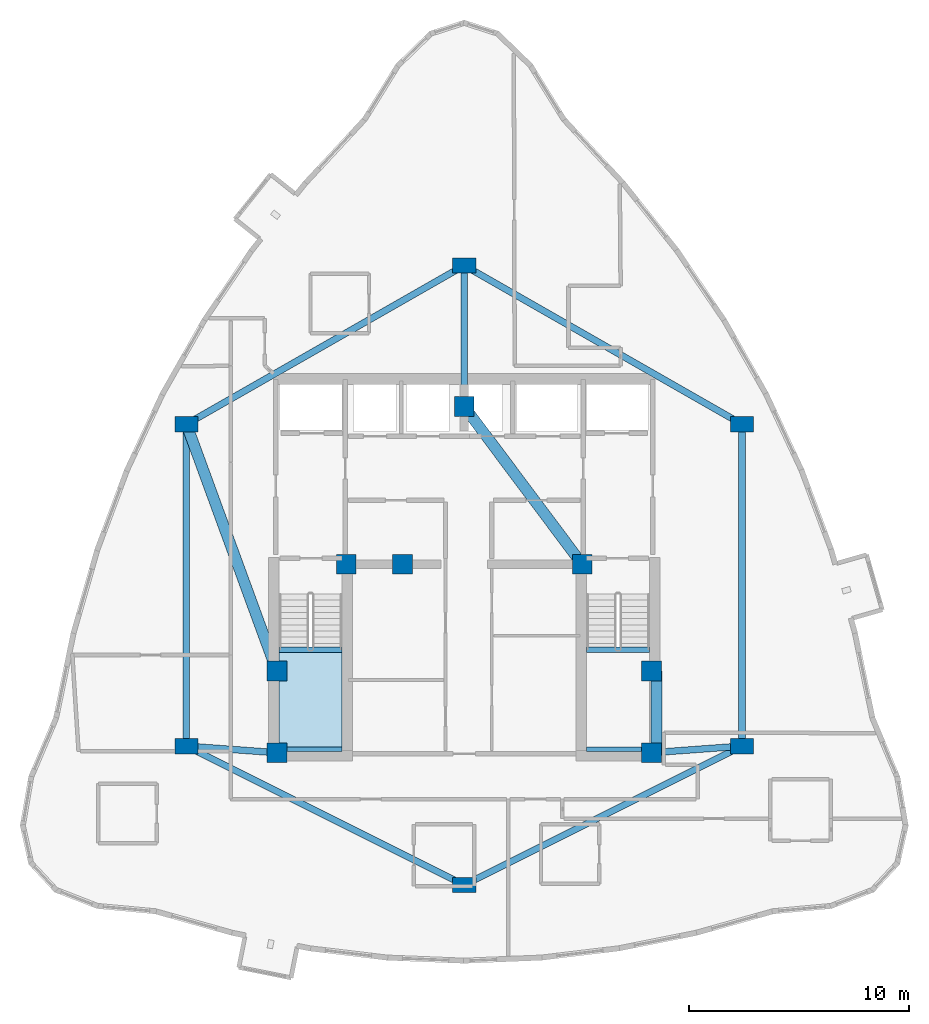
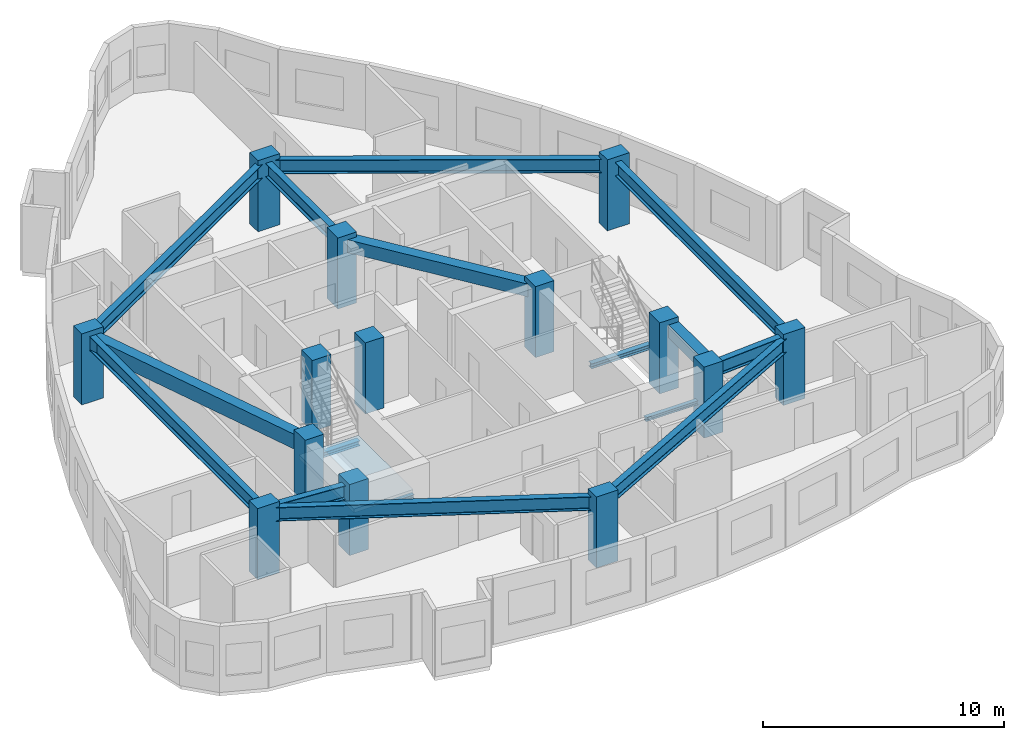
# One storey, part 1 of 12: 16 beams, 14 columns, 1 slab, 1 element without a shape of its own.
"""IFC4 building model written with IfcOpenShell, lengths in metres."""

import ifcopenshell
import ifcopenshell.guid

model = None  # the IFC model being written
_history = None  # IfcOwnerHistory: only IFC2X3 demands one
_inside = {}  # id of a spatial element -> (the spatial element, [elements in it])
_under = {}  # id of a project, library or spatial element -> (it, [spatial elements below it])
_declared = {}  # id of a project -> (the project, [libraries it declares])
_typed = {}  # id of a type object -> (the type object, [elements of that type])
_made_of = {}  # id of a material, layer set ... -> (it, [elements and type objects made of it])


def new_model(schema):
    """Start an empty IFC model of exactly this schema.

    Asked for "IFC4X3", IfcOpenShell would pick the latest addendum, in which some entities
    have other attributes; the version numbers below select the first issue.
    IFC2X3 requires an IfcOwnerHistory on every rooted entity: one is made here for all.
    """
    global model, _history
    if schema == "IFC4X3":
        model = ifcopenshell.file(schema_version=(4, 3, 0, 0))
    else:
        model = ifcopenshell.file(schema=schema)
    _inside.clear()
    _under.clear()
    _declared.clear()
    _typed.clear()
    _made_of.clear()
    _history = None
    if model.schema == "IFC2X3":
        org = make("IfcOrganization", Name="unknown")
        user = make(
            "IfcPersonAndOrganization",
            ThePerson=make("IfcPerson", FamilyName="unknown"),
            TheOrganization=org,
        )
        app = make(
            "IfcApplication",
            ApplicationDeveloper=org,
            Version="unknown",
            ApplicationFullName="unknown",
            ApplicationIdentifier="unknown",
        )
        _history = make(
            "IfcOwnerHistory",
            OwningUser=user,
            OwningApplication=app,
            ChangeAction="ADDED",
            CreationDate=0,
        )
    return model


def make(cls, **values):
    """One entity of the class cls with the attributes given. An attribute that is None is left unset."""
    return model.create_entity(
        cls, **{name: value for name, value in values.items() if value is not None}
    )


def rooted(cls, **values):
    """An entity with a GlobalId (a new one), such as an element, a storey or a relation."""
    return make(cls, GlobalId=ifcopenshell.guid.new(), OwnerHistory=_history, **values)


def si_unit(unit_type, name, prefix=None):
    """IfcSIUnit, for example si_unit("LENGTHUNIT", "METRE", prefix="MILLI")."""
    return make("IfcSIUnit", UnitType=unit_type, Prefix=prefix, Name=name)


def assignment(units):
    """IfcUnitAssignment: the units of a project."""
    return None if units is None else make("IfcUnitAssignment", Units=units)


def point(xyz):
    """IfcCartesianPoint."""
    return None if xyz is None else make("IfcCartesianPoint", Coordinates=xyz)


def direction(xyz):
    """IfcDirection."""
    return None if xyz is None else make("IfcDirection", DirectionRatios=xyz)


def frame(location, z_axis=None, x_axis=None):
    """IfcAxis2Placement3D, a coordinate frame: its origin and axes. An axis left out is left unset."""
    return make(
        "IfcAxis2Placement3D",
        Location=point(location),
        Axis=direction(z_axis),
        RefDirection=direction(x_axis),
    )


def frame_2d(location, x_axis=None):
    """IfcAxis2Placement2D, a coordinate frame in the plane: its origin and x axis."""
    return make(
        "IfcAxis2Placement2D", Location=point(location), RefDirection=direction(x_axis)
    )


def origin():
    """The frame at (0, 0, 0) with its axes left unset."""
    return frame((0.0, 0.0, 0.0))


def origin_2d():
    """The frame at (0, 0) in the plane with its x axis left unset."""
    return frame_2d((0.0, 0.0))


def place(relative_to, where):
    """IfcLocalPlacement: puts the frame where relative to a parent placement (None: the world)."""
    return make(
        "IfcLocalPlacement", PlacementRelTo=relative_to, RelativePlacement=where
    )


def context(
    kind, dimensions, precision=None, world=None, true_north=None, identifier=None
):
    """IfcGeometricRepresentationContext, for example the 3D "Model" context."""
    return make(
        "IfcGeometricRepresentationContext",
        ContextIdentifier=identifier,
        ContextType=kind,
        CoordinateSpaceDimension=dimensions,
        Precision=precision,
        WorldCoordinateSystem=world,
        TrueNorth=true_north,
    )


def subcontext(parent, identifier, kind, view, scale=None):
    """IfcGeometricRepresentationSubContext, for example "Body" below "Model"."""
    return make(
        "IfcGeometricRepresentationSubContext",
        ContextIdentifier=identifier,
        ContextType=kind,
        ParentContext=parent,
        TargetScale=scale,
        TargetView=view,
    )


def project(units=None, contexts=None):
    """IfcProject with its units and contexts."""
    return rooted(
        "IfcProject",
        Name="project",
        RepresentationContexts=contexts,
        UnitsInContext=assignment(units),
    )


def spatial(cls, under=None, at=None, **own):
    """A site, building, storey or space (cls), placed at a placement, below another one or the project."""
    s = rooted(cls, ObjectPlacement=at, **own)
    if under is not None:
        _under.setdefault(under.id(), (under, []))[1].append(s)
    return s


def polyline(points):
    """IfcPolyline through the points."""
    return make("IfcPolyline", Points=[point(p) for p in points])


def profile(cls, at=None, kind="AREA", **sizes):
    """A parametric profile (cls). Its sizes go by their IFC names, for example OverallWidth=200.0."""
    return make(cls, ProfileType=kind, Position=at, **sizes)


def rectangle(**sizes):
    """IfcRectangleProfileDef."""
    return profile("IfcRectangleProfileDef", **sizes)


def i_section(**sizes):
    """IfcIShapeProfileDef."""
    return profile("IfcIShapeProfileDef", **sizes)


def outline(outer, holes=None, kind="AREA"):
    """IfcArbitraryClosedProfileDef: a profile drawn as a closed curve; with holes, ...WithVoids."""
    if holes is None:
        return make("IfcArbitraryClosedProfileDef", ProfileType=kind, OuterCurve=outer)
    return make(
        "IfcArbitraryProfileDefWithVoids",
        ProfileType=kind,
        OuterCurve=outer,
        InnerCurves=holes,
    )


def extrude(swept, where, along, depth):
    """IfcExtrudedAreaSolid: the profile swept, set in the frame where, extruded along a direction by depth."""
    return make(
        "IfcExtrudedAreaSolid",
        SweptArea=swept,
        Position=where,
        ExtrudedDirection=direction(along),
        Depth=depth,
    )


def shape(context_of_items, identifier, shape_type, items):
    """IfcShapeRepresentation: the items that make up one representation, for example the "Body"."""
    return make(
        "IfcShapeRepresentation",
        ContextOfItems=context_of_items,
        RepresentationIdentifier=identifier,
        RepresentationType=shape_type,
        Items=items,
    )


def material(Name=None, Category=None):
    """IfcMaterial."""
    return make("IfcMaterial", Name=Name, Category=Category)


def layer(
    of_material, thickness, ventilated=None, Name=None, Category=None, Priority=None
):
    """IfcMaterialLayer: one layer of a wall or slab, of a material (None: an air gap)."""
    return make(
        "IfcMaterialLayer",
        Material=of_material,
        LayerThickness=thickness,
        IsVentilated=ventilated,
        Name=Name,
        Category=Category,
        Priority=Priority,
    )


def layer_set(layers, Name=None):
    """IfcMaterialLayerSet."""
    return make("IfcMaterialLayerSet", MaterialLayers=layers, LayerSetName=Name)


def material_profile(
    of_material, cross_section, Name=None, Category=None, Priority=None
):
    """IfcMaterialProfile: a cross section and its material."""
    return make(
        "IfcMaterialProfile",
        Name=Name,
        Material=of_material,
        Profile=cross_section,
        Priority=Priority,
        Category=Category,
    )


def profile_set(profiles, Name=None, composite=None):
    """IfcMaterialProfileSet."""
    return make(
        "IfcMaterialProfileSet",
        Name=Name,
        MaterialProfiles=profiles,
        CompositeProfile=composite,
    )


def made_of(thing, what):
    """Note that an element or type object is made of a material, layer set ...; save() writes the relation."""
    if what is not None:
        _made_of.setdefault(what.id(), (what, []))[1].append(thing)
    return thing


def type_object(cls, material=None, **own):
    """A type object (cls), such as IfcWallType, which elements share."""
    return made_of(rooted(cls, **own), material)


def element(
    cls,
    number,
    at=None,
    inside=None,
    cuts=None,
    type_object=None,
    material=None,
    context=None,
    identifier="Body",
    shape_type=None,
    held_by="IfcProductDefinitionShape",
    body=None,
    shapes=None,
    **own,
):
    """One element of the class cls, such as IfcWall. Its Tag is "e" and its number.

    at: its placement. inside: the storey or other place that contains it. cuts: it is an
    opening in that element (IfcRelVoidsElement). A single representation is given by context,
    identifier, shape_type and body (its items); several are given by shapes. held_by: the class
    of the entity that holds the representations. save() writes the other relations.
    """
    e = rooted(cls, Tag="e%d" % number, ObjectPlacement=at, **own)
    if body is not None:
        shapes = [shape(context, identifier, shape_type, body)]
    if shapes is not None:
        e.Representation = make(held_by, Representations=shapes)
    if inside is not None:
        _inside.setdefault(inside.id(), (inside, []))[1].append(e)
    if cuts is not None:
        rooted(
            "IfcRelVoidsElement", RelatingBuildingElement=cuts, RelatedOpeningElement=e
        )
    if type_object is not None:
        _typed.setdefault(type_object.id(), (type_object, []))[1].append(e)
    return made_of(e, material)


def aggregate(whole, parts):
    """IfcRelAggregates: a whole, such as a stair, and the parts it consists of."""
    return rooted("IfcRelAggregates", RelatingObject=whole, RelatedObjects=parts)


def save(model, path):
    """Write the relations noted so far, then the file.

    IfcRelAggregates (storeys below a building ...), IfcRelContainedInSpatialStructure (elements
    in a storey), IfcRelDefinesByType, IfcRelAssociatesMaterial and IfcRelDeclares: one each for
    every whole, place, type object, material and project.
    """
    for whole, parts in _under.values():
        aggregate(whole, parts)
    for where, things in _inside.values():
        rooted(
            "IfcRelContainedInSpatialStructure",
            RelatedElements=things,
            RelatingStructure=where,
        )
    for kind, things in _typed.values():
        rooted("IfcRelDefinesByType", RelatedObjects=things, RelatingType=kind)
    for what, things in _made_of.values():
        rooted("IfcRelAssociatesMaterial", RelatedObjects=things, RelatingMaterial=what)
    for by, libraries in _declared.values():
        rooted("IfcRelDeclares", RelatingContext=by, RelatedDefinitions=libraries)
    model.write(path)


model = new_model("IFC4")

# Units and contexts
model_context = context("Model", 3, precision=1e-05, world=origin(), true_north=direction((0.0, 1.0)))
body_context = subcontext(model_context, "Body", "Model", "MODEL_VIEW")
ifc_project = project(units=[si_unit("LENGTHUNIT", "METRE"), si_unit("AREAUNIT", "SQUARE_METRE"), si_unit("VOLUMEUNIT", "CUBIC_METRE"), si_unit("PLANEANGLEUNIT", "RADIAN"), si_unit("MASSUNIT", "GRAM", prefix="KILO")], contexts=[model_context])

# Site, building, storey
site_placement = place(None, origin())
site = spatial("IfcSite", under=ifc_project, at=site_placement, CompositionType="ELEMENT")
building_placement = place(site_placement, origin())
building = spatial("IfcBuilding", under=site, at=building_placement, Name="Miruveldt Soraemaru", CompositionType="ELEMENT")
storey_placement = place(building_placement, frame((0.0, 0.0, 216.0)))
storey = spatial("IfcBuildingStorey", under=building, at=storey_placement, Name="L59", CompositionType="ELEMENT", Elevation=216.0)

# Columns
ifc_material_1 = material(Name="Concrete C50/60 (50 MPa)", Category="concrete")
ifc_material_profile_1 = material_profile(ifc_material_1, rectangle(XDim=0.89990234375, YDim=0.89990234375, at=origin_2d()), Name="Concrete C50/60 (50 MPa)", Category="concrete")
ifc_profile_set_1 = profile_set([ifc_material_profile_1], Name="Concrete C50/60 (50 MPa)")
column_type_1 = type_object("IfcColumnType", Name="COL-CORE-900", PredefinedType="COLUMN", material=ifc_profile_set_1)
for number, where, z_axis, x_axis, name in (
    (1, (35.5, 35.5, 0.0), (0.0, 0.0, 1.0), (1.0, 0.0, 0.0), "L59 Structural Column CC1"),
    (2, (38.64990234375, 44.050048828125, 0.0), (0.0, 0.0, 1.0), (1.0, 0.0, 0.0), "L59 Structural Column CC2"),
    (3, (52.5, 35.5, 0.0), (0.0, 0.0, 1.0), (1.0, 0.0, 0.0), "L59 Structural Column CC3"),
    (4, (52.5, 39.199951171875, 0.0), (0.0, 0.0, 1.0), (1.0, 0.0, 0.0), "L59 Structural Column CC4"),
    (5, (49.35009765625, 44.050048828125, 0.0), (0.0, 0.0, 1.0), (1.0, 0.0, 0.0), "L59 Structural Column CC5"),
    (6, (44.0, 51.199951171875, 0.0), (0.0, 0.0, 1.0), (1.0, 0.0, 0.0), "L59 Structural Column CC6"),
    (7, (35.5, 39.199951171875, 0.0), (0.0, 0.0, 1.0), (1.0, 0.0, 0.0), "L59 Structural Column CC7"),
    (8, (41.199951171875, 44.050048828125, 0.0), (0.0, 0.0, 1.0), (1.0, 0.0, 0.0), "L59 Structural Column CC8"),
):
    element("IfcColumn", number, at=place(storey_placement, frame(where, z_axis=z_axis, x_axis=x_axis)), inside=storey, type_object=column_type_1, Name=name, PredefinedType="COLUMN", context=body_context, shape_type="SweptSolid", body=[
        extrude(rectangle(XDim=0.89990234375, YDim=0.89990234375, at=origin_2d()), origin(), (0.0, 0.0, 1.0), 3.60009765625),
    ])
ifc_material_2 = material(Name="Concrete C60/75 (60 MPa)", Category="concrete")
ifc_material_profile_2 = material_profile(ifc_material_2, rectangle(XDim=1.050048828125, YDim=0.699951171875, at=origin_2d()), Name="Concrete C60/75 (60 MPa)", Category="concrete")
ifc_profile_set_2 = profile_set([ifc_material_profile_2], Name="Concrete C60/75 (60 MPa)")
column_type_2 = type_object("IfcColumnType", Name="COL-TW-Z3", PredefinedType="COLUMN", material=ifc_profile_set_2)
for number, where, z_axis, x_axis, name in (
    (9, (44.0, 57.60009765625, 0.0), (0.0, 0.0, 1.0), (1.0, 0.0, 0.0), "L59 Structural Column IR01"),
    (10, (56.60009765625, 50.39990234375, 0.0), (0.0, 0.0, 1.0), (1.0, 0.0, 0.0), "L59 Structural Column IR02"),
    (11, (56.60009765625, 35.800048828125, 0.0), (0.0, 0.0, 1.0), (1.0, 0.0, 0.0), "L59 Structural Column IR03"),
    (12, (44.0, 29.5, 0.0), (0.0, 0.0, 1.0), (1.0, 0.0, 0.0), "L59 Structural Column IR04"),
    (13, (31.39990234375, 35.800048828125, 0.0), (0.0, 0.0, 1.0), (1.0, 0.0, 0.0), "L59 Structural Column IR05"),
    (14, (31.39990234375, 50.39990234375, 0.0), (0.0, 0.0, 1.0), (1.0, 0.0, 0.0), "L59 Structural Column IR06"),
):
    element("IfcColumn", number, at=place(storey_placement, frame(where, z_axis=z_axis, x_axis=x_axis)), inside=storey, type_object=column_type_2, Name=name, PredefinedType="COLUMN", context=body_context, shape_type="SweptSolid", body=[
        extrude(rectangle(XDim=1.050048828125, YDim=0.699951171875, at=origin_2d()), origin(), (0.0, 0.0, 1.0), 3.60009765625),
    ])

# Beams
ifc_material_profile_3 = material_profile(ifc_material_1, rectangle(XDim=0.5, YDim=0.64990234375, at=origin_2d()), Name="Concrete C50/60 (50 MPa)", Category="concrete")
ifc_profile_set_3 = profile_set([ifc_material_profile_3], Name="Concrete C50/60 (50 MPa)")
beam_type_1 = type_object("IfcBeamType", Name="BM-RC-500x650", PredefinedType="BEAM", material=ifc_profile_set_3)
beam_1_placement = place(storey_placement, frame((52.72998046875, 35.5, 3.02001953125), z_axis=(0.0, 1.0, 0.0), x_axis=(-1.0, 0.0, 0.0)))
element("IfcBeam", 15, at=beam_1_placement, inside=storey, type_object=beam_type_1, Name="L59 Core Tie Beam 3", PredefinedType="BEAM", context=body_context, shape_type="SweptSolid", body=[
    extrude(rectangle(XDim=0.5, YDim=0.64990234375, at=origin_2d()), origin(), (0.0, 0.0, 1.0), 3.699951171875),
])
beam_2_placement = place(storey_placement, frame((49.35009765625, 44.050048828125, 3.02001953125), z_axis=(-0.599116023999, 0.800662219533, 0.0), x_axis=(-0.800662219533, -0.599116023999, 0.0)))
element("IfcBeam", 16, at=beam_2_placement, inside=storey, type_object=beam_type_1, Name="L59 Core Tie Beam 5", PredefinedType="BEAM", context=body_context, shape_type="SweptSolid", body=[
    extrude(rectangle(XDim=0.5, YDim=0.64990234375, at=origin_2d()), origin(), (0.0, 0.0, 1.0), 8.929931640625),
])
ifc_material_3 = material(Name="Concrete C40/50 (40 MPa)", Category="concrete")
ifc_material_profile_4 = material_profile(ifc_material_3, rectangle(XDim=0.5, YDim=0.75, at=origin_2d()), Name="Concrete C40/50 (40 MPa)", Category="concrete")
ifc_profile_set_4 = profile_set([ifc_material_profile_4], Name="Concrete C40/50 (40 MPa)")
beam_type_2 = type_object("IfcBeamType", Name="BM-RC-500x750", PredefinedType="LINTEL", material=ifc_profile_set_4)
beam_3_placement = place(storey_placement, frame((31.39990234375, 50.39990234375, 2.969970703125), z_axis=(0.343770424598, -0.939053723262, 0.0), x_axis=(0.939053723262, 0.343770424598, 0.0)))
element("IfcBeam", 17, at=beam_3_placement, inside=storey, type_object=beam_type_2, Name="L59 West Lobby Lintel", PredefinedType="LINTEL", context=body_context, shape_type="SweptSolid", body=[
    extrude(rectangle(XDim=0.5, YDim=0.75, at=origin_2d()), origin(), (0.0, 0.0, 1.0), 11.9267578125),
])
ifc_material_4 = material(Name="Steel SM355 (355 MPa)", Category="steel")
ifc_material_profile_5 = material_profile(ifc_material_4, i_section(OverallWidth=0.300048828125, OverallDepth=0.699951171875, WebThickness=0.012939453125, FlangeThickness=0.02392578125, FilletRadius=0.028076171875, at=origin_2d()), Name="Steel SM355 (355 MPa)", Category="steel")
ifc_profile_set_5 = profile_set([ifc_material_profile_5], Name="Steel SM355 (355 MPa)")
beam_type_3 = type_object("IfcBeamType", Name="BM-ST-H700", PredefinedType="BEAM", material=ifc_profile_set_5)
beam_4_placement = place(storey_placement, frame((44.0, 57.60009765625, 2.9951171875), z_axis=(0.868239001029, -0.496146185203, 0.0), x_axis=(0.496146185203, 0.868239001029, 0.0)))
element("IfcBeam", 18, at=beam_4_placement, inside=storey, type_object=beam_type_3, Name="L59 Inner Ring Girder 1", PredefinedType="BEAM", context=body_context, shape_type="SweptSolid", body=[
    extrude(i_section(OverallWidth=0.300048828125, OverallDepth=0.699951171875, WebThickness=0.012939453125, FlangeThickness=0.02392578125, FilletRadius=0.028076171875, at=origin_2d()), origin(), (0.0, 0.0, 1.0), 14.51220703125),
])
beam_5_placement = place(storey_placement, frame((44.0, 51.199951171875, 2.9951171875), z_axis=(0.0, 1.0, 0.0), x_axis=(-1.0, 0.0, 0.0)))
element("IfcBeam", 19, at=beam_5_placement, inside=storey, type_object=beam_type_3, Name="L59 Core-to-Inner Radial Girder 1", PredefinedType="BEAM", context=body_context, shape_type="SweptSolid", body=[
    extrude(i_section(OverallWidth=0.300048828125, OverallDepth=0.699951171875, WebThickness=0.012939453125, FlangeThickness=0.02392578125, FilletRadius=0.028076171875, at=origin_2d()), origin(), (0.0, 0.0, 1.0), 6.400146484375),
])
beam_6_placement = place(storey_placement, frame((56.60009765625, 50.39990234375, 2.9951171875), z_axis=(0.0, -1.0, 0.0), x_axis=(1.0, 0.0, 0.0)))
element("IfcBeam", 20, at=beam_6_placement, inside=storey, type_object=beam_type_3, Name="L59 Inner Ring Girder 2", PredefinedType="BEAM", context=body_context, shape_type="SweptSolid", body=[
    extrude(i_section(OverallWidth=0.300048828125, OverallDepth=0.699951171875, WebThickness=0.012939453125, FlangeThickness=0.02392578125, FilletRadius=0.028076171875, at=origin_2d()), origin(), (0.0, 0.0, 1.0), 14.599853515625),
])
beam_7_placement = place(storey_placement, frame((56.60009765625, 35.800048828125, 2.9951171875), z_axis=(-0.894427191, -0.4472135955, 0.0), x_axis=(0.4472135955, -0.894427191, 0.0)))
element("IfcBeam", 21, at=beam_7_placement, inside=storey, type_object=beam_type_3, Name="L59 Inner Ring Girder 3", PredefinedType="BEAM", context=body_context, shape_type="SweptSolid", body=[
    extrude(i_section(OverallWidth=0.300048828125, OverallDepth=0.699951171875, WebThickness=0.012939453125, FlangeThickness=0.02392578125, FilletRadius=0.028076171875, at=origin_2d()), origin(), (0.0, 0.0, 1.0), 14.08740234375),
])
beam_8_placement = place(storey_placement, frame((52.5, 35.5, 2.9951171875), z_axis=(0.997332985605, 0.072985723431, 0.0), x_axis=(-0.072985723431, 0.997332985605, 0.0)))
element("IfcBeam", 22, at=beam_8_placement, inside=storey, type_object=beam_type_3, Name="L59 Core-to-Inner Radial Girder 3", PredefinedType="BEAM", context=body_context, shape_type="SweptSolid", body=[
    extrude(i_section(OverallWidth=0.300048828125, OverallDepth=0.699951171875, WebThickness=0.012939453125, FlangeThickness=0.02392578125, FilletRadius=0.028076171875, at=origin_2d()), origin(), (0.0, 0.0, 1.0), 4.111083984375),
])
beam_9_placement = place(storey_placement, frame((44.0, 29.5, 2.9951171875), z_axis=(-0.894427191, 0.4472135955, 0.0), x_axis=(-0.4472135955, -0.894427191, 0.0)))
element("IfcBeam", 23, at=beam_9_placement, inside=storey, type_object=beam_type_3, Name="L59 Inner Ring Girder 4", PredefinedType="BEAM", context=body_context, shape_type="SweptSolid", body=[
    extrude(i_section(OverallWidth=0.300048828125, OverallDepth=0.699951171875, WebThickness=0.012939453125, FlangeThickness=0.02392578125, FilletRadius=0.028076171875, at=origin_2d()), origin(), (0.0, 0.0, 1.0), 14.08740234375),
])
beam_10_placement = place(storey_placement, frame((31.39990234375, 35.800048828125, 2.9951171875), z_axis=(0.0, 1.0, 0.0), x_axis=(-1.0, 0.0, 0.0)))
element("IfcBeam", 24, at=beam_10_placement, inside=storey, type_object=beam_type_3, Name="L59 Inner Ring Girder 5", PredefinedType="BEAM", context=body_context, shape_type="SweptSolid", body=[
    extrude(i_section(OverallWidth=0.300048828125, OverallDepth=0.699951171875, WebThickness=0.012939453125, FlangeThickness=0.02392578125, FilletRadius=0.028076171875, at=origin_2d()), origin(), (0.0, 0.0, 1.0), 14.599853515625),
])
beam_11_placement = place(storey_placement, frame((35.5, 35.5, 2.9951171875), z_axis=(-0.997332985605, 0.072985723431, 0.0), x_axis=(-0.072985723431, -0.997332985605, 0.0)))
element("IfcBeam", 25, at=beam_11_placement, inside=storey, type_object=beam_type_3, Name="L59 Core-to-Inner Radial Girder 5", PredefinedType="BEAM", context=body_context, shape_type="SweptSolid", body=[
    extrude(i_section(OverallWidth=0.300048828125, OverallDepth=0.699951171875, WebThickness=0.012939453125, FlangeThickness=0.02392578125, FilletRadius=0.028076171875, at=origin_2d()), origin(), (0.0, 0.0, 1.0), 4.111083984375),
])
beam_12_placement = place(storey_placement, frame((31.39990234375, 50.39990234375, 2.9951171875), z_axis=(0.868239001029, 0.496146185203, 0.0), x_axis=(-0.496146185203, 0.868239001029, 0.0)))
element("IfcBeam", 26, at=beam_12_placement, inside=storey, type_object=beam_type_3, Name="L59 Inner Ring Girder 6", PredefinedType="BEAM", context=body_context, shape_type="SweptSolid", body=[
    extrude(i_section(OverallWidth=0.300048828125, OverallDepth=0.699951171875, WebThickness=0.012939453125, FlangeThickness=0.02392578125, FilletRadius=0.028076171875, at=origin_2d()), origin(), (0.0, 0.0, 1.0), 14.51220703125),
])
ifc_material_profile_6 = material_profile(ifc_material_4, i_section(OverallWidth=0.199951171875, OverallDepth=0.199951171875, WebThickness=0.008056640625, FlangeThickness=0.011962890625, FilletRadius=0.012939453125, at=origin_2d()), Name="Steel SM355 (355 MPa)", Category="steel")
ifc_profile_set_6 = profile_set([ifc_material_profile_6], Name="Steel SM355 (355 MPa)")
beam_type_4 = type_object("IfcBeamType", Name="BM-ST-LND200", PredefinedType="BEAM", material=ifc_profile_set_6)
for number, where, z_axis, x_axis, name in (
    (27, (35.60009765625, 35.64990234375, 1.5), (1.0, 0.0, 0.0), (0.0, 1.0, 0.0), "L59 ST1 Landing End Beam 1B"),
    (28, (49.550048828125, 35.64990234375, 1.5), (1.0, 0.0, 0.0), (0.0, 1.0, 0.0), "L59 ST2 Landing End Beam 1B"),
):
    element("IfcBeam", number, at=place(storey_placement, frame(where, z_axis=z_axis, x_axis=x_axis)), inside=storey, type_object=beam_type_4, Name=name, PredefinedType="BEAM", context=body_context, shape_type="SweptSolid", body=[
        extrude(i_section(OverallWidth=0.199951171875, OverallDepth=0.199951171875, WebThickness=0.008056640625, FlangeThickness=0.011962890625, FilletRadius=0.012939453125, at=origin_2d()), origin(), (0.0, 0.0, 1.0), 2.849853515625),
    ])
ifc_material_profile_7 = material_profile(ifc_material_4, i_section(OverallWidth=0.25, OverallDepth=0.25, WebThickness=0.009033203125, FlangeThickness=0.013916015625, FilletRadius=0.01611328125, at=origin_2d()), Name="Steel SM355 (355 MPa)", Category="steel")
ifc_profile_set_7 = profile_set([ifc_material_profile_7], Name="Steel SM355 (355 MPa)")
beam_type_5 = type_object("IfcBeamType", Name="BM-ST-LND250", PredefinedType="BEAM", material=ifc_profile_set_7)
for number, where, z_axis, x_axis, name in (
    (29, (35.60009765625, 40.179931640625, 1.47509765625), (1.0, 0.0, 0.0), (0.0, 1.0, 0.0), "L59 ST1 Landing Support Beam 1A"),
    (30, (49.550048828125, 40.179931640625, 1.47509765625), (1.0, 0.0, 0.0), (0.0, 1.0, 0.0), "L59 ST2 Landing Support Beam 1A"),
):
    element("IfcBeam", number, at=place(storey_placement, frame(where, z_axis=z_axis, x_axis=x_axis)), inside=storey, type_object=beam_type_5, Name=name, PredefinedType="BEAM", context=body_context, shape_type="SweptSolid", body=[
        extrude(i_section(OverallWidth=0.25, OverallDepth=0.25, WebThickness=0.009033203125, FlangeThickness=0.013916015625, FilletRadius=0.01611328125, at=origin_2d()), origin(), (0.0, 0.0, 1.0), 2.849853515625),
    ])

# Stair, slab
stair_type = type_object("IfcStairType", Name="STAIR-DL-360", PredefinedType="HALF_TURN_STAIR", material=ifc_material_3)
stair_placement = place(storey_placement, origin())
stair = element("IfcStair", 31, at=stair_placement, inside=storey, type_object=stair_type, Name="L59 Protected Exit Stair ST-1", PredefinedType="HALF_TURN_STAIR")
ifc_layer = layer(ifc_material_3, 0.199951171875, Name="Concrete C40/50 (40 MPa)", Category="concrete")
ifc_layer_set = layer_set([ifc_layer], Name="Concrete C40/50 (40 MPa)")
slab_type = type_object("IfcSlabType", Name="SLAB-LAND-200", PredefinedType="LANDING", material=ifc_layer_set)
slab_placement = place(storey_placement, frame((0.0, 0.0, 1.60009765625)))
slab = element("IfcSlab", 32, at=slab_placement, type_object=slab_type, Name="ST-1 landing 1", PredefinedType="LANDING", context=body_context, shape_type="SweptSolid", body=[
    extrude(outline(polyline([(35.60009765625, 40.197998046875), (35.60009765625, 35.64990234375), (38.449951171875, 35.64990234375), (38.449951171875, 40.197998046875), (35.60009765625, 40.197998046875)])), origin(), (0.0, 0.0, 1.0), 0.199951171875),
])
aggregate(stair, [slab])

save(model, "model.ifc")
